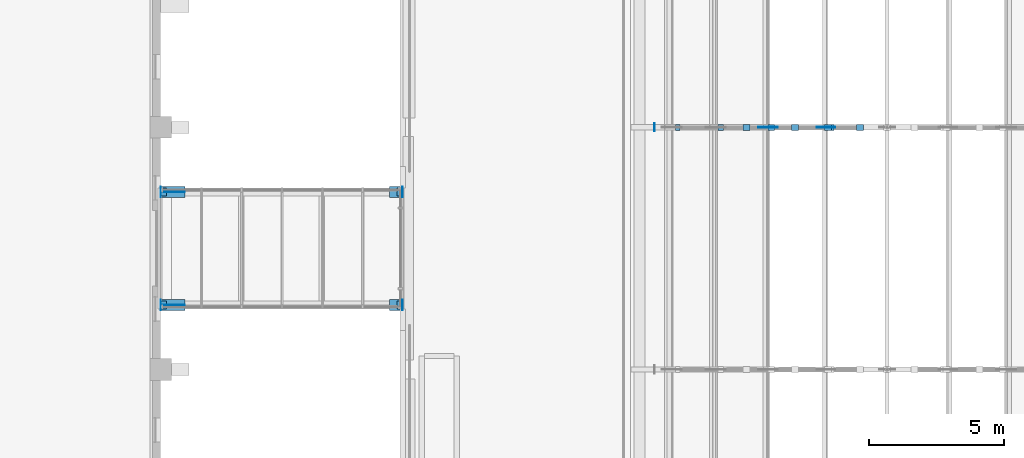
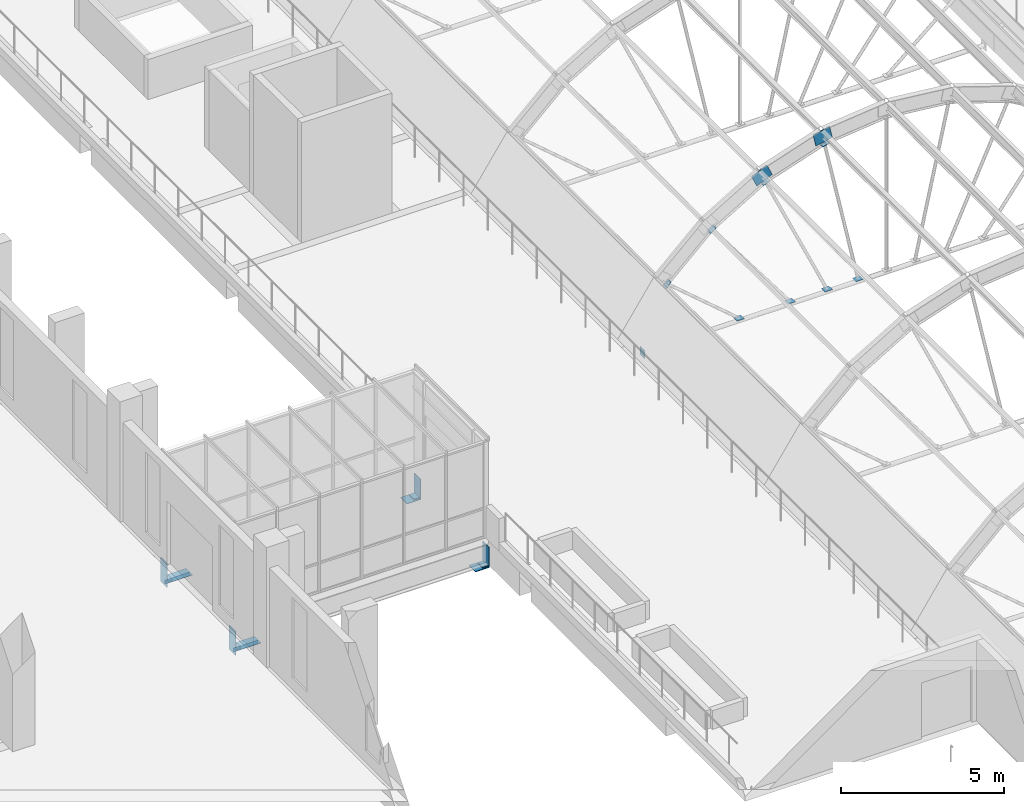
# One storey, part 67 of 79: 27 discrete accessories.
"""IFC4 building model written with IfcOpenShell, lengths in metres."""

import ifcopenshell
import ifcopenshell.guid

model = None  # the IFC model being written
_history = None  # IfcOwnerHistory: only IFC2X3 demands one
_inside = {}  # id of a spatial element -> (the spatial element, [elements in it])
_under = {}  # id of a project, library or spatial element -> (it, [spatial elements below it])
_declared = {}  # id of a project -> (the project, [libraries it declares])
_typed = {}  # id of a type object -> (the type object, [elements of that type])
_made_of = {}  # id of a material, layer set ... -> (it, [elements and type objects made of it])


def new_model(schema):
    """Start an empty IFC model of exactly this schema.

    Asked for "IFC4X3", IfcOpenShell would pick the latest addendum, in which some entities
    have other attributes; the version numbers below select the first issue.
    IFC2X3 requires an IfcOwnerHistory on every rooted entity: one is made here for all.
    """
    global model, _history
    if schema == "IFC4X3":
        model = ifcopenshell.file(schema_version=(4, 3, 0, 0))
    else:
        model = ifcopenshell.file(schema=schema)
    _inside.clear()
    _under.clear()
    _declared.clear()
    _typed.clear()
    _made_of.clear()
    _history = None
    if model.schema == "IFC2X3":
        org = make("IfcOrganization", Name="unknown")
        user = make(
            "IfcPersonAndOrganization",
            ThePerson=make("IfcPerson", FamilyName="unknown"),
            TheOrganization=org,
        )
        app = make(
            "IfcApplication",
            ApplicationDeveloper=org,
            Version="unknown",
            ApplicationFullName="unknown",
            ApplicationIdentifier="unknown",
        )
        _history = make(
            "IfcOwnerHistory",
            OwningUser=user,
            OwningApplication=app,
            ChangeAction="ADDED",
            CreationDate=0,
        )
    return model


def make(cls, **values):
    """One entity of the class cls with the attributes given. An attribute that is None is left unset."""
    return model.create_entity(
        cls, **{name: value for name, value in values.items() if value is not None}
    )


def rooted(cls, **values):
    """An entity with a GlobalId (a new one), such as an element, a storey or a relation."""
    return make(cls, GlobalId=ifcopenshell.guid.new(), OwnerHistory=_history, **values)


def si_unit(unit_type, name, prefix=None):
    """IfcSIUnit, for example si_unit("LENGTHUNIT", "METRE", prefix="MILLI")."""
    return make("IfcSIUnit", UnitType=unit_type, Prefix=prefix, Name=name)


def assignment(units):
    """IfcUnitAssignment: the units of a project."""
    return None if units is None else make("IfcUnitAssignment", Units=units)


def point(xyz):
    """IfcCartesianPoint."""
    return None if xyz is None else make("IfcCartesianPoint", Coordinates=xyz)


def direction(xyz):
    """IfcDirection."""
    return None if xyz is None else make("IfcDirection", DirectionRatios=xyz)


def frame(location, z_axis=None, x_axis=None):
    """IfcAxis2Placement3D, a coordinate frame: its origin and axes. An axis left out is left unset."""
    return make(
        "IfcAxis2Placement3D",
        Location=point(location),
        Axis=direction(z_axis),
        RefDirection=direction(x_axis),
    )


def frame_2d(location, x_axis=None):
    """IfcAxis2Placement2D, a coordinate frame in the plane: its origin and x axis."""
    return make(
        "IfcAxis2Placement2D", Location=point(location), RefDirection=direction(x_axis)
    )


def origin():
    """The frame at (0, 0, 0) with its axes left unset."""
    return frame((0.0, 0.0, 0.0))


def origin_2d():
    """The frame at (0, 0) in the plane with its x axis left unset."""
    return frame_2d((0.0, 0.0))


def place(relative_to, where):
    """IfcLocalPlacement: puts the frame where relative to a parent placement (None: the world)."""
    return make(
        "IfcLocalPlacement", PlacementRelTo=relative_to, RelativePlacement=where
    )


def context(
    kind, dimensions, precision=None, world=None, true_north=None, identifier=None
):
    """IfcGeometricRepresentationContext, for example the 3D "Model" context."""
    return make(
        "IfcGeometricRepresentationContext",
        ContextIdentifier=identifier,
        ContextType=kind,
        CoordinateSpaceDimension=dimensions,
        Precision=precision,
        WorldCoordinateSystem=world,
        TrueNorth=true_north,
    )


def subcontext(parent, identifier, kind, view, scale=None):
    """IfcGeometricRepresentationSubContext, for example "Body" below "Model"."""
    return make(
        "IfcGeometricRepresentationSubContext",
        ContextIdentifier=identifier,
        ContextType=kind,
        ParentContext=parent,
        TargetScale=scale,
        TargetView=view,
    )


def project(units=None, contexts=None):
    """IfcProject with its units and contexts."""
    return rooted(
        "IfcProject",
        Name="project",
        RepresentationContexts=contexts,
        UnitsInContext=assignment(units),
    )


def spatial(cls, under=None, at=None, **own):
    """A site, building, storey or space (cls), placed at a placement, below another one or the project."""
    s = rooted(cls, ObjectPlacement=at, **own)
    if under is not None:
        _under.setdefault(under.id(), (under, []))[1].append(s)
    return s


def profile(cls, at=None, kind="AREA", **sizes):
    """A parametric profile (cls). Its sizes go by their IFC names, for example OverallWidth=200.0."""
    return make(cls, ProfileType=kind, Position=at, **sizes)


def rectangle(**sizes):
    """IfcRectangleProfileDef."""
    return profile("IfcRectangleProfileDef", **sizes)


def extrude(swept, where, along, depth):
    """IfcExtrudedAreaSolid: the profile swept, set in the frame where, extruded along a direction by depth."""
    return make(
        "IfcExtrudedAreaSolid",
        SweptArea=swept,
        Position=where,
        ExtrudedDirection=direction(along),
        Depth=depth,
    )


def shape(context_of_items, identifier, shape_type, items):
    """IfcShapeRepresentation: the items that make up one representation, for example the "Body"."""
    return make(
        "IfcShapeRepresentation",
        ContextOfItems=context_of_items,
        RepresentationIdentifier=identifier,
        RepresentationType=shape_type,
        Items=items,
    )


def material(Name=None, Category=None):
    """IfcMaterial."""
    return make("IfcMaterial", Name=Name, Category=Category)


def layer(
    of_material, thickness, ventilated=None, Name=None, Category=None, Priority=None
):
    """IfcMaterialLayer: one layer of a wall or slab, of a material (None: an air gap)."""
    return make(
        "IfcMaterialLayer",
        Material=of_material,
        LayerThickness=thickness,
        IsVentilated=ventilated,
        Name=Name,
        Category=Category,
        Priority=Priority,
    )


def layer_set(layers, Name=None):
    """IfcMaterialLayerSet."""
    return make("IfcMaterialLayerSet", MaterialLayers=layers, LayerSetName=Name)


def material_profile(
    of_material, cross_section, Name=None, Category=None, Priority=None
):
    """IfcMaterialProfile: a cross section and its material."""
    return make(
        "IfcMaterialProfile",
        Name=Name,
        Material=of_material,
        Profile=cross_section,
        Priority=Priority,
        Category=Category,
    )


def profile_set(profiles, Name=None, composite=None):
    """IfcMaterialProfileSet."""
    return make(
        "IfcMaterialProfileSet",
        Name=Name,
        MaterialProfiles=profiles,
        CompositeProfile=composite,
    )


def made_of(thing, what):
    """Note that an element or type object is made of a material, layer set ...; save() writes the relation."""
    if what is not None:
        _made_of.setdefault(what.id(), (what, []))[1].append(thing)
    return thing


def type_object(cls, material=None, **own):
    """A type object (cls), such as IfcWallType, which elements share."""
    return made_of(rooted(cls, **own), material)


def element(
    cls,
    number,
    at=None,
    inside=None,
    cuts=None,
    type_object=None,
    material=None,
    context=None,
    identifier="Body",
    shape_type=None,
    held_by="IfcProductDefinitionShape",
    body=None,
    shapes=None,
    **own,
):
    """One element of the class cls, such as IfcWall. Its Tag is "e" and its number.

    at: its placement. inside: the storey or other place that contains it. cuts: it is an
    opening in that element (IfcRelVoidsElement). A single representation is given by context,
    identifier, shape_type and body (its items); several are given by shapes. held_by: the class
    of the entity that holds the representations. save() writes the other relations.
    """
    e = rooted(cls, Tag="e%d" % number, ObjectPlacement=at, **own)
    if body is not None:
        shapes = [shape(context, identifier, shape_type, body)]
    if shapes is not None:
        e.Representation = make(held_by, Representations=shapes)
    if inside is not None:
        _inside.setdefault(inside.id(), (inside, []))[1].append(e)
    if cuts is not None:
        rooted(
            "IfcRelVoidsElement", RelatingBuildingElement=cuts, RelatedOpeningElement=e
        )
    if type_object is not None:
        _typed.setdefault(type_object.id(), (type_object, []))[1].append(e)
    return made_of(e, material)


def aggregate(whole, parts):
    """IfcRelAggregates: a whole, such as a stair, and the parts it consists of."""
    return rooted("IfcRelAggregates", RelatingObject=whole, RelatedObjects=parts)


def save(model, path):
    """Write the relations noted so far, then the file.

    IfcRelAggregates (storeys below a building ...), IfcRelContainedInSpatialStructure (elements
    in a storey), IfcRelDefinesByType, IfcRelAssociatesMaterial and IfcRelDeclares: one each for
    every whole, place, type object, material and project.
    """
    for whole, parts in _under.values():
        aggregate(whole, parts)
    for where, things in _inside.values():
        rooted(
            "IfcRelContainedInSpatialStructure",
            RelatedElements=things,
            RelatingStructure=where,
        )
    for kind, things in _typed.values():
        rooted("IfcRelDefinesByType", RelatedObjects=things, RelatingType=kind)
    for what, things in _made_of.values():
        rooted("IfcRelAssociatesMaterial", RelatedObjects=things, RelatingMaterial=what)
    for by, libraries in _declared.values():
        rooted("IfcRelDeclares", RelatingContext=by, RelatedDefinitions=libraries)
    model.write(path)


model = new_model("IFC4")

# Units and contexts
model_context = context("Model", 3, precision=1e-05, world=origin(), true_north=direction((0.0, 1.0)))
body_context = subcontext(model_context, "Body", "Model", "MODEL_VIEW")
ifc_project = project(units=[si_unit("LENGTHUNIT", "METRE"), si_unit("AREAUNIT", "SQUARE_METRE"), si_unit("VOLUMEUNIT", "CUBIC_METRE"), si_unit("PLANEANGLEUNIT", "RADIAN"), si_unit("MASSUNIT", "GRAM", prefix="KILO")], contexts=[model_context])

# Site, building, storey
site_placement = place(None, origin())
site = spatial("IfcSite", under=ifc_project, at=site_placement, CompositionType="ELEMENT")
building_placement = place(site_placement, origin())
building = spatial("IfcBuilding", under=site, at=building_placement, Name="Guidao Yard Department Store", CompositionType="ELEMENT")
storey_placement = place(building_placement, frame((0.0, 0.0, 15.0)))
storey = spatial("IfcBuildingStorey", under=building, at=storey_placement, Name="L03", CompositionType="ELEMENT", Elevation=15.0)

# Discrete accessories
ifc_material_1 = material(Name="Steel Q355B", Category="steel")
ifc_layer_1 = layer(ifc_material_1, 0.014892578125)
ifc_layer_set_1 = layer_set([ifc_layer_1], Name="Bridge girder back plate SB1 steel")
discrete_accessory_type_1 = type_object("IfcDiscreteAccessoryType", Name="Bridge girder back plate SB1 steel", PredefinedType="BRACKET", material=ifc_layer_set_1)
discrete_accessory_1_placement = place(storey_placement, frame((63.007568359375, 65.39990234375, -1.259765625), z_axis=(0.0, 0.0, 1.0), x_axis=(1.0, 0.0, 0.0)))
element("IfcDiscreteAccessory", 1, at=discrete_accessory_1_placement, inside=storey, type_object=discrete_accessory_type_1, Name="Bridge girder back plate BR05S S", PredefinedType="BRACKET", context=body_context, shape_type="SweptSolid", body=[
    extrude(rectangle(XDim=0.014892578125, YDim=0.39990234375, at=origin_2d()), origin(), (0.0, 0.0, 1.0), 0.909912109375),
])
discrete_accessory_2_placement = place(storey_placement, frame((71.992431640625, 65.39990234375, -1.10986328125), z_axis=(0.0, 0.0, 1.0), x_axis=(1.0, 0.0, 0.0)))
element("IfcDiscreteAccessory", 2, at=discrete_accessory_2_placement, inside=storey, type_object=discrete_accessory_type_1, Name="Bridge girder back plate BR05S F", PredefinedType="BRACKET", context=body_context, shape_type="SweptSolid", body=[
    extrude(rectangle(XDim=0.014892578125, YDim=0.39990234375, at=origin_2d()), origin(), (0.0, 0.0, 1.0), 0.760009765625),
])
discrete_accessory_3_placement = place(storey_placement, frame((63.007568359375, 69.60009765625, -1.259765625), z_axis=(0.0, 0.0, 1.0), x_axis=(1.0, 0.0, 0.0)))
element("IfcDiscreteAccessory", 3, at=discrete_accessory_3_placement, inside=storey, type_object=discrete_accessory_type_1, Name="Bridge girder back plate BR05N S", PredefinedType="BRACKET", context=body_context, shape_type="SweptSolid", body=[
    extrude(rectangle(XDim=0.014892578125, YDim=0.39990234375, at=origin_2d()), origin(), (0.0, 0.0, 1.0), 0.909912109375),
])
discrete_accessory_4_placement = place(storey_placement, frame((71.992431640625, 69.60009765625, -1.10986328125), z_axis=(0.0, 0.0, 1.0), x_axis=(1.0, 0.0, 0.0)))
element("IfcDiscreteAccessory", 4, at=discrete_accessory_4_placement, inside=storey, type_object=discrete_accessory_type_1, Name="Bridge girder back plate BR05N F", PredefinedType="BRACKET", context=body_context, shape_type="SweptSolid", body=[
    extrude(rectangle(XDim=0.014892578125, YDim=0.39990234375, at=origin_2d()), origin(), (0.0, 0.0, 1.0), 0.760009765625),
])
ifc_material_2 = material(Name="Steel Q355B", Category="steel")
ifc_layer_2 = layer(ifc_material_2, 0.0400390625)
ifc_layer_set_2 = layer_set([ifc_layer_2], Name="Bridge girder pinned bearing BP1 steel")
discrete_accessory_type_2 = type_object("IfcDiscreteAccessoryType", Name="Bridge girder pinned bearing BP1 steel", PredefinedType="SHOE", material=ifc_layer_set_2)
for number, where, z_axis, x_axis, name in (
    (5, (71.885009765625, 65.39990234375, -1.090087890625), (0.0, 0.0, 1.0), (1.0, 0.0, 0.0), "Bridge girder pinned bearing BR05S"),
    (6, (71.885009765625, 69.60009765625, -1.090087890625), (0.0, 0.0, 1.0), (1.0, 0.0, 0.0), "Bridge girder pinned bearing BR05N"),
):
    element("IfcDiscreteAccessory", number, at=place(storey_placement, frame(where, z_axis=z_axis, x_axis=x_axis)), inside=storey, type_object=discrete_accessory_type_2, Name=name, PredefinedType="SHOE", context=body_context, shape_type="SweptSolid", body=[
        extrude(rectangle(XDim=0.199951171875, YDim=0.300048828125, at=origin_2d()), origin(), (0.0, 0.0, 1.0), 0.0400390625),
    ])
ifc_material_3 = material(Name="Steel Q355B", Category="steel")
ifc_layer_3 = layer(ifc_material_3, 0.02001953125)
ifc_layer_set_3 = layer_set([ifc_layer_3], Name="Bridge girder seat plate SP1 steel 500")
discrete_accessory_type_3 = type_object("IfcDiscreteAccessoryType", Name="Bridge girder seat plate SP1 steel 500", PredefinedType="BRACKET", material=ifc_layer_set_3)
for number, where, z_axis, x_axis, name in (
    (7, (71.742431640625, 65.39990234375, -1.110107421875), (0.0, 0.0, 1.0), (1.0, 0.0, 0.0), "Bridge girder seat plate BR05S F"),
    (8, (71.742431640625, 69.60009765625, -1.110107421875), (0.0, 0.0, 1.0), (1.0, 0.0, 0.0), "Bridge girder seat plate BR05N F"),
):
    element("IfcDiscreteAccessory", number, at=place(storey_placement, frame(where, z_axis=z_axis, x_axis=x_axis)), inside=storey, type_object=discrete_accessory_type_3, Name=name, PredefinedType="BRACKET", context=body_context, shape_type="SweptSolid", body=[
        extrude(rectangle(XDim=0.485107421875, YDim=0.39990234375, at=origin_2d()), origin(), (0.0, 0.0, 1.0), 0.02001953125),
    ])
ifc_material_4 = material(Name="Steel Q355B", Category="steel")
ifc_layer_4 = layer(ifc_material_4, 0.02001953125)
ifc_layer_set_4 = layer_set([ifc_layer_4], Name="Bridge girder seat plate SP1 steel 900")
discrete_accessory_type_4 = type_object("IfcDiscreteAccessoryType", Name="Bridge girder seat plate SP1 steel 900", PredefinedType="BRACKET", material=ifc_layer_set_4)
for number, where, z_axis, x_axis, name in (
    (9, (63.45751953125, 65.39990234375, -1.110107421875), (0.0, 0.0, 1.0), (1.0, 0.0, 0.0), "Bridge girder seat plate BR05S S"),
    (10, (63.45751953125, 69.60009765625, -1.110107421875), (0.0, 0.0, 1.0), (1.0, 0.0, 0.0), "Bridge girder seat plate BR05N S"),
):
    element("IfcDiscreteAccessory", number, at=place(storey_placement, frame(where, z_axis=z_axis, x_axis=x_axis)), inside=storey, type_object=discrete_accessory_type_4, Name=name, PredefinedType="BRACKET", context=body_context, shape_type="SweptSolid", body=[
        extrude(rectangle(XDim=0.885009765625, YDim=0.39990234375, at=origin_2d()), origin(), (0.0, 0.0, 1.0), 0.02001953125),
    ])
ifc_material_5 = material(Name="Steel Q355B", Category="steel")
ifc_layer_5 = layer(ifc_material_5, 0.01611328125)
ifc_layer_set_5 = layer_set([ifc_layer_5], Name="Bridge girder seat rib SR1 steel 16")
discrete_accessory_type_5 = type_object("IfcDiscreteAccessoryType", Name="Bridge girder seat rib SR1 steel 16", PredefinedType="BRACKET", material=ifc_layer_set_5)
for number, where, z_axis, x_axis, name in (
    (11, (63.465087890625, 65.39990234375, -1.260009765625), (0.0, 0.0, 1.0), (1.0, 0.0, 0.0), "Bridge girder seat rib BR05S S"),
    (12, (63.465087890625, 69.60009765625, -1.260009765625), (0.0, 0.0, 1.0), (1.0, 0.0, 0.0), "Bridge girder seat rib BR05N S"),
):
    element("IfcDiscreteAccessory", number, at=place(storey_placement, frame(where, z_axis=z_axis, x_axis=x_axis)), inside=storey, type_object=discrete_accessory_type_5, Name=name, PredefinedType="BRACKET", context=body_context, shape_type="SweptSolid", body=[
        extrude(rectangle(XDim=0.8701171875, YDim=0.01611328125, at=origin_2d()), origin(), (0.0, 0.0, 1.0), 0.14990234375),
    ])
ifc_material_6 = material(Name="Steel Q355B", Category="steel")
ifc_layer_6 = layer(ifc_material_6, 0.0400390625)
ifc_layer_set_6 = layer_set([ifc_layer_6], Name="Bridge girder sliding bearing BS1 PTFE on steel")
discrete_accessory_type_6 = type_object("IfcDiscreteAccessoryType", Name="Bridge girder sliding bearing BS1 PTFE on steel", PredefinedType="SHOE", material=ifc_layer_set_6)
for number, where, z_axis, x_axis, name in (
    (13, (63.114990234375, 65.39990234375, -1.090087890625), (0.0, 0.0, 1.0), (1.0, 0.0, 0.0), "Bridge girder sliding bearing BR05S"),
    (14, (63.114990234375, 69.60009765625, -1.090087890625), (0.0, 0.0, 1.0), (1.0, 0.0, 0.0), "Bridge girder sliding bearing BR05N"),
):
    element("IfcDiscreteAccessory", number, at=place(storey_placement, frame(where, z_axis=z_axis, x_axis=x_axis)), inside=storey, type_object=discrete_accessory_type_6, Name=name, PredefinedType="SHOE", context=body_context, shape_type="SweptSolid", body=[
        extrude(rectangle(XDim=0.199951171875, YDim=0.300048828125, at=origin_2d()), origin(), (0.0, 0.0, 1.0), 0.0400390625),
    ])
ifc_material_7 = material(Name="Steel Q355B", Category="steel")
ifc_material_profile_1 = material_profile(ifc_material_7, rectangle(XDim=0.011962890625, YDim=0.449951171875, at=origin_2d()), Name="Splice plate 450x12")
ifc_profile_set_1 = profile_set([ifc_material_profile_1], Name="Steel Q355B")
discrete_accessory_type_7 = type_object("IfcDiscreteAccessoryType", Name="Rib splice plate SP2 steel", PredefinedType="BRACKET", material=ifc_profile_set_1)
for number, where, z_axis, x_axis, name in (
    (15, (85.30419921875, 71.988525390625, 4.585693359375), (0.909808266671, 0.0, 0.415028815744), (0.0, 1.0, 0.0), "Rib splice plate C04-03A"),
    (16, (85.30419921875, 72.011474609375, 4.585693359375), (0.909808266671, 0.0, 0.415028815744), (0.0, 1.0, 0.0), "Rib splice plate C04-03B"),
):
    element("IfcDiscreteAccessory", number, at=place(storey_placement, frame(where, z_axis=z_axis, x_axis=x_axis)), inside=storey, type_object=discrete_accessory_type_7, Name=name, PredefinedType="BRACKET", context=body_context, shape_type="SweptSolid", body=[
        extrude(rectangle(XDim=0.011962890625, YDim=0.449951171875, at=origin_2d()), origin(), (0.0, 0.0, 1.0), 0.60009765625),
    ])
for number, where, z_axis, x_axis, name in (
    (17, (87.441162109375, 71.988525390625, 5.362548828125), (0.977257109626, 0.0, 0.212057873434), (0.0, 1.0, 0.0), "Rib splice plate C04-04A"),
    (18, (87.441162109375, 72.011474609375, 5.362548828125), (0.977257109626, 0.0, 0.212057873434), (0.0, 1.0, 0.0), "Rib splice plate C04-04B"),
):
    element("IfcDiscreteAccessory", number, at=place(storey_placement, frame(where, z_axis=z_axis, x_axis=x_axis)), inside=storey, type_object=discrete_accessory_type_7, Name=name, PredefinedType="BRACKET", context=body_context, shape_type="SweptSolid", body=[
        extrude(rectangle(XDim=0.011962890625, YDim=0.449951171875, at=origin_2d()), origin(), (0.0, 0.0, 1.0), 0.599853515625),
    ])
ifc_material_8 = material(Name="Steel Q355B", Category="steel")
ifc_material_profile_2 = material_profile(ifc_material_8, rectangle(XDim=0.300048828125, YDim=0.011962890625, at=origin_2d()), Name="Node plate 300x12")
ifc_profile_set_2 = profile_set([ifc_material_profile_2], Name="Steel Q355B")
discrete_accessory_type_8 = type_object("IfcDiscreteAccessoryType", Name="Tie end plate NP3 300 steel", PredefinedType="BRACKET", material=ifc_profile_set_2)
discrete_accessory_5_placement = place(storey_placement, frame((81.35595703125, 71.85009765625, -0.449951171875), z_axis=(0.0, 1.0, 0.0), x_axis=(0.0, 0.0, 1.0)))
element("IfcDiscreteAccessory", 19, at=discrete_accessory_5_placement, inside=storey, type_object=discrete_accessory_type_8, Name="Tie end plate C04L", PredefinedType="BRACKET", context=body_context, shape_type="SweptSolid", body=[
    extrude(rectangle(XDim=0.300048828125, YDim=0.011962890625, at=origin_2d()), origin(), (0.0, 0.0, 1.0), 0.2998046875),
])
ifc_material_9 = material(Name="Steel Q355B", Category="steel")
ifc_material_profile_3 = material_profile(ifc_material_9, rectangle(XDim=0.260009765625, YDim=0.011962890625, at=origin_2d()), Name="Node plate 260x12")
ifc_profile_set_3 = profile_set([ifc_material_profile_3], Name="Steel Q355B")
discrete_accessory_type_9 = type_object("IfcDiscreteAccessoryType", Name="Web foot plate NP2 steel", PredefinedType="BRACKET", material=ifc_profile_set_3)
for number, where, z_axis, x_axis, name in (
    (20, (84.77490234375, 71.889892578125, -0.360107421875), (0.0, 1.0, 0.0), (-1.0, 0.0, 0.0), "Web foot plate C04-01F"),
    (21, (86.575927734375, 71.889892578125, -0.360107421875), (0.0, 1.0, 0.0), (-1.0, 0.0, 0.0), "Web foot plate C04-02F"),
    (22, (87.890869140625, 71.889892578125, -0.360107421875), (0.0, 1.0, 0.0), (-1.0, 0.0, 0.0), "Web foot plate C04-03F"),
    (23, (88.98876953125, 71.889892578125, -0.360107421875), (0.0, 1.0, 0.0), (-1.0, 0.0, 0.0), "Web foot plate C04-04F"),
):
    element("IfcDiscreteAccessory", number, at=place(storey_placement, frame(where, z_axis=z_axis, x_axis=x_axis)), inside=storey, type_object=discrete_accessory_type_9, Name=name, PredefinedType="BRACKET", context=body_context, shape_type="SweptSolid", body=[
        extrude(rectangle(XDim=0.260009765625, YDim=0.011962890625, at=origin_2d()), origin(), (0.0, 0.0, 1.0), 0.22021484375),
    ])
ifc_material_10 = material(Name="Steel Q355B", Category="steel")
ifc_material_profile_4 = material_profile(ifc_material_10, rectangle(XDim=0.260009765625, YDim=0.011962890625, at=origin_2d()), Name="Node plate 260x12")
ifc_profile_set_4 = profile_set([ifc_material_profile_4], Name="Steel Q355B")
discrete_accessory_type_10 = type_object("IfcDiscreteAccessoryType", Name="Web head plate NP1 steel", PredefinedType="BRACKET", material=ifc_profile_set_4)
for number, where, z_axis, x_axis, name in (
    (24, (82.221923828125, 71.889892578125, 1.82080078125), (0.0, 1.0, 0.0), (-0.649536869322, 0.0, -0.760330096334), "Web head plate C04-01H"),
    (25, (83.8134765625, 71.889892578125, 3.314208984375), (0.0, 1.0, 0.0), (-0.79928350319, 0.0, -0.600954142617), "Web head plate C04-02H"),
    (26, (85.702392578125, 71.889892578125, 4.435791015625), (0.0, 1.0, 0.0), (-0.909750741633, 0.0, -0.415154896513), "Web head plate C04-03H"),
    (27, (87.798095703125, 71.889892578125, 5.13134765625), (0.0, 1.0, 0.0), (-0.977291953985, 0.0, -0.211897231402), "Web head plate C04-04H"),
):
    element("IfcDiscreteAccessory", number, at=place(storey_placement, frame(where, z_axis=z_axis, x_axis=x_axis)), inside=storey, type_object=discrete_accessory_type_10, Name=name, PredefinedType="BRACKET", context=body_context, shape_type="SweptSolid", body=[
        extrude(rectangle(XDim=0.260009765625, YDim=0.011962890625, at=origin_2d()), origin(), (0.0, 0.0, 1.0), 0.22021484375),
    ])

save(model, "model.ifc")
